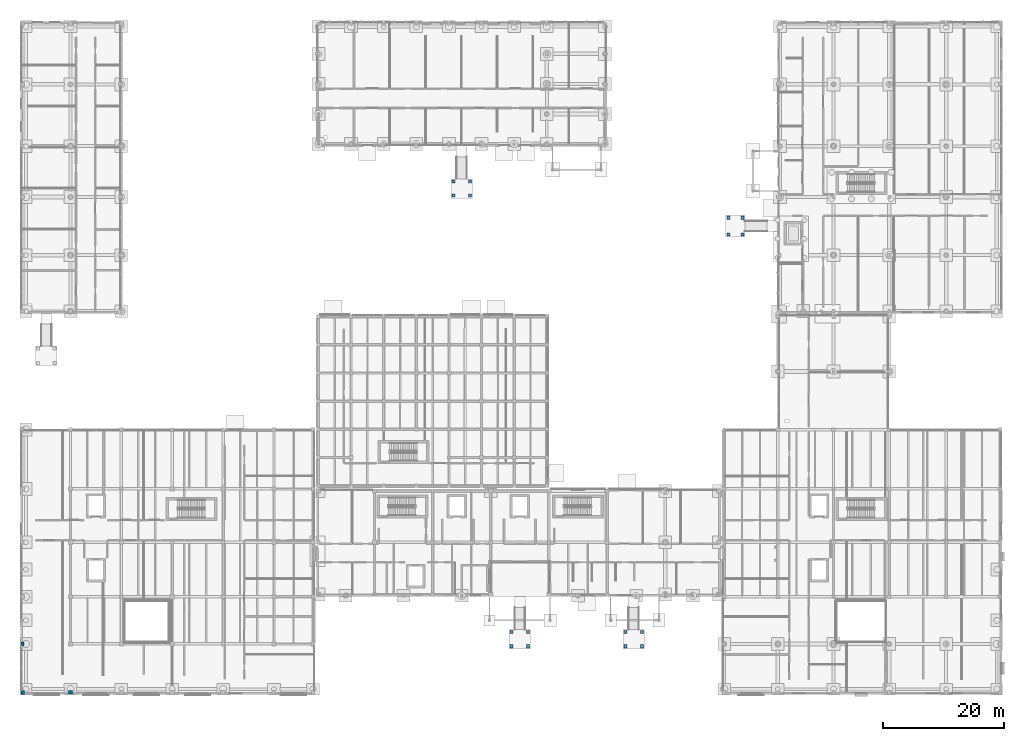
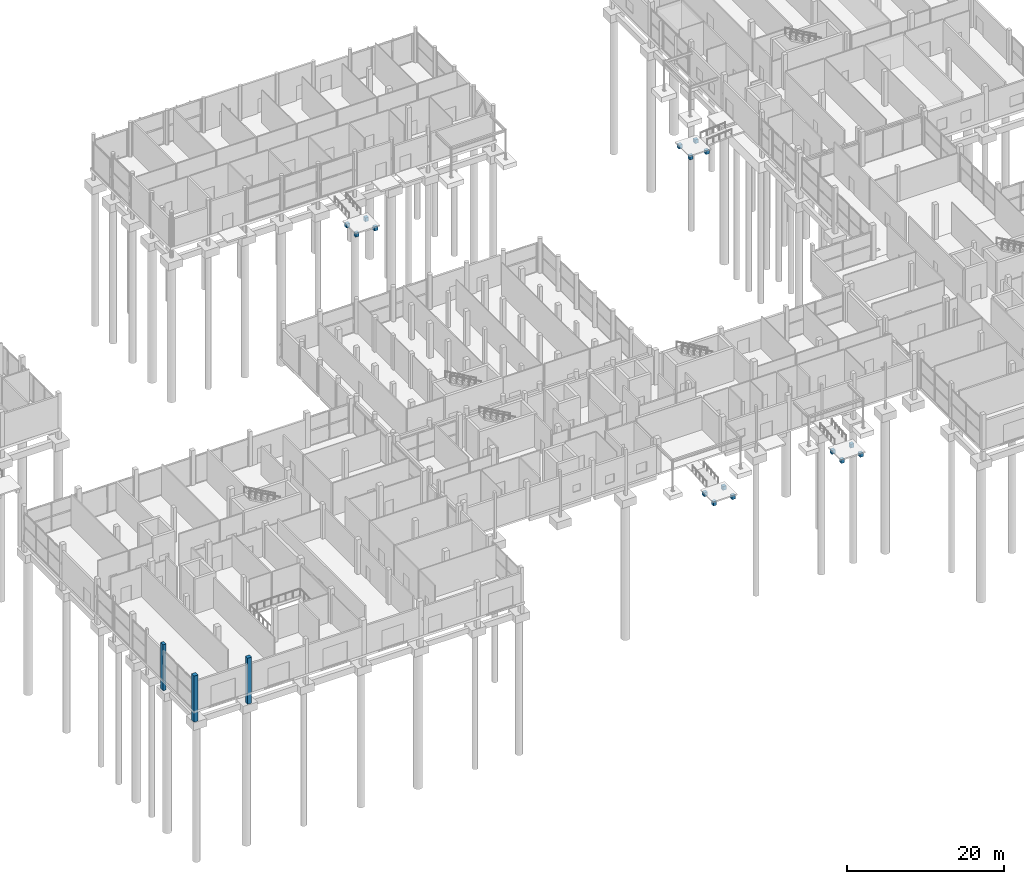
# One storey, part 5 of 88: 16 footings, 3 columns.
"""IFC4 building model written with IfcOpenShell, lengths in metres."""

from ifc_helpers import new_model, si_unit, direction, frame, origin, origin_2d, place, context, subcontext, project, spatial, rectangle, extrude, material, material_profile, profile_set, type_object, element, save


model = new_model("IFC4")

# Units and contexts
model_context = context("Model", 3, precision=1e-05, world=origin(), true_north=direction((0.0, 1.0)))
body_context = subcontext(model_context, "Body", "Model", "MODEL_VIEW")
ifc_project = project(units=[si_unit("LENGTHUNIT", "METRE"), si_unit("AREAUNIT", "SQUARE_METRE"), si_unit("VOLUMEUNIT", "CUBIC_METRE"), si_unit("PLANEANGLEUNIT", "RADIAN"), si_unit("MASSUNIT", "GRAM", prefix="KILO")], contexts=[model_context])

# Site, building, storey
site_placement = place(None, origin())
site = spatial("IfcSite", under=ifc_project, at=site_placement, CompositionType="ELEMENT")
building_placement = place(site_placement, origin())
building = spatial("IfcBuilding", under=site, at=building_placement, Name="Birchvale Park Specialist Clinic", CompositionType="ELEMENT")
storey_placement = place(building_placement, origin())
storey = spatial("IfcBuildingStorey", under=building, at=storey_placement, Name="L00", CompositionType="ELEMENT", Elevation=0.0)

# Footings
ifc_material = material(Name="Concrete C40/50", Category="concrete")
footing_type = type_object("IfcFootingType", Name="PF-9", PredefinedType="PAD_FOOTING", material=ifc_material)
for number, where, z_axis, x_axis, name in (
    (1, (84.02001953125, 8.6201171875, -1.10009765625), (0.0, 0.0, 1.0), (1.0, 0.0, 0.0), "Accessible ramp foundation pad AR-1.1"),
    (2, (86.780029296875, 8.6201171875, -1.10009765625), (0.0, 0.0, 1.0), (1.0, 0.0, 0.0), "Accessible ramp foundation pad AR-1.2"),
    (3, (84.02001953125, 10.97998046875, -1.10009765625), (0.0, 0.0, 1.0), (1.0, 0.0, 0.0), "Accessible ramp foundation pad AR-1.3"),
    (4, (86.780029296875, 10.97998046875, -1.10009765625), (0.0, 0.0, 1.0), (1.0, 0.0, 0.0), "Accessible ramp foundation pad AR-1.4"),
    (5, (74.419921875, 83.02001953125, -1.10009765625), (0.0, 0.0, 1.0), (1.0, 0.0, 0.0), "Accessible ramp foundation pad AR-3.1"),
    (6, (77.179931640625, 83.02001953125, -1.10009765625), (0.0, 0.0, 1.0), (1.0, 0.0, 0.0), "Accessible ramp foundation pad AR-3.2"),
    (7, (74.419921875, 85.3798828125, -1.10009765625), (0.0, 0.0, 1.0), (1.0, 0.0, 0.0), "Accessible ramp foundation pad AR-3.3"),
    (8, (77.179931640625, 85.3798828125, -1.10009765625), (0.0, 0.0, 1.0), (1.0, 0.0, 0.0), "Accessible ramp foundation pad AR-3.4"),
    (9, (102.820068359375, 8.6201171875, -1.10009765625), (0.0, 0.0, 1.0), (1.0, 0.0, 0.0), "Accessible ramp foundation pad AR-4.1"),
    (10, (105.580078125, 8.6201171875, -1.10009765625), (0.0, 0.0, 1.0), (1.0, 0.0, 0.0), "Accessible ramp foundation pad AR-4.2"),
    (11, (102.820068359375, 10.97998046875, -1.10009765625), (0.0, 0.0, 1.0), (1.0, 0.0, 0.0), "Accessible ramp foundation pad AR-4.3"),
    (12, (105.580078125, 10.97998046875, -1.10009765625), (0.0, 0.0, 1.0), (1.0, 0.0, 0.0), "Accessible ramp foundation pad AR-4.4"),
    (13, (119.820068359375, 76.6201171875, -1.10009765625), (0.0, 0.0, 1.0), (1.0, 0.0, 0.0), "Accessible ramp foundation pad AR-5.1"),
    (14, (122.179931640625, 76.6201171875, -1.10009765625), (0.0, 0.0, 1.0), (1.0, 0.0, 0.0), "Accessible ramp foundation pad AR-5.2"),
    (15, (119.820068359375, 79.3798828125, -1.10009765625), (0.0, 0.0, 1.0), (1.0, 0.0, 0.0), "Accessible ramp foundation pad AR-5.3"),
    (16, (122.179931640625, 79.3798828125, -1.10009765625), (0.0, 0.0, 1.0), (1.0, 0.0, 0.0), "Accessible ramp foundation pad AR-5.4"),
):
    element("IfcFooting", number, at=place(storey_placement, frame(where, z_axis=z_axis, x_axis=x_axis)), inside=storey, type_object=footing_type, Name=name, PredefinedType="PAD_FOOTING", context=body_context, shape_type="SweptSolid", body=[
        extrude(rectangle(XDim=0.5, YDim=0.5, at=origin_2d()), origin(), (0.0, 0.0, 1.0), 0.60009765625),
    ])

# Columns
ifc_material_profile_1 = material_profile(ifc_material, rectangle(XDim=0.6298828125, YDim=0.6298828125, at=origin_2d()), Name="RC-630x630")
ifc_profile_set_1 = profile_set([ifc_material_profile_1], Name="Concrete C40/50")
column_type_1 = type_object("IfcColumnType", Name="COL-EXT-C02", PredefinedType="COLUMN", material=ifc_profile_set_1)
column_1_placement = place(storey_placement, frame((3.300048828125, 1.0, -1.75), z_axis=(0.0, 0.0, 1.0), x_axis=(1.0, 0.0, 0.0)))
element("IfcColumn", 17, at=column_1_placement, inside=storey, type_object=column_type_1, Name="V2 L00 column 1", PredefinedType="COLUMN", context=body_context, shape_type="SweptSolid", body=[
    extrude(rectangle(XDim=0.6298828125, YDim=0.6298828125, at=origin_2d()), origin(), (0.0, 0.0, 1.0), 7.14990234375),
])
ifc_material_profile_2 = material_profile(ifc_material, rectangle(XDim=0.580078125, YDim=0.580078125, at=origin_2d()), Name="RC-580x580")
ifc_profile_set_2 = profile_set([ifc_material_profile_2], Name="Concrete C40/50")
column_type_2 = type_object("IfcColumnType", Name="COL-EXT-C03", PredefinedType="COLUMN", material=ifc_profile_set_2)
column_2_placement = place(storey_placement, frame((11.199951171875, 1.0, -1.75), z_axis=(0.0, 0.0, 1.0), x_axis=(1.0, 0.0, 0.0)))
element("IfcColumn", 18, at=column_2_placement, inside=storey, type_object=column_type_2, Name="V2 L00 column 13", PredefinedType="COLUMN", context=body_context, shape_type="SweptSolid", body=[
    extrude(rectangle(XDim=0.580078125, YDim=0.580078125, at=origin_2d()), origin(), (0.0, 0.0, 1.0), 7.14990234375),
])
ifc_material_profile_3 = material_profile(ifc_material, rectangle(XDim=0.469970703125, YDim=0.6298828125, at=origin_2d()), Name="RC-470x630")
ifc_profile_set_3 = profile_set([ifc_material_profile_3], Name="Concrete C40/50")
column_type_3 = type_object("IfcColumnType", Name="COL-EXT-C09", PredefinedType="COLUMN", material=ifc_profile_set_3)
column_3_placement = place(storey_placement, frame((3.300048828125, 9.0, -1.75), z_axis=(0.0, 0.0, 1.0), x_axis=(1.0, 0.0, 0.0)))
element("IfcColumn", 19, at=column_3_placement, inside=storey, type_object=column_type_3, Name="V2 L00 column 2", PredefinedType="COLUMN", context=body_context, shape_type="SweptSolid", body=[
    extrude(rectangle(XDim=0.469970703125, YDim=0.6298828125, at=origin_2d()), origin(), (0.0, 0.0, 1.0), 7.14990234375),
])

save(model, "model.ifc")
